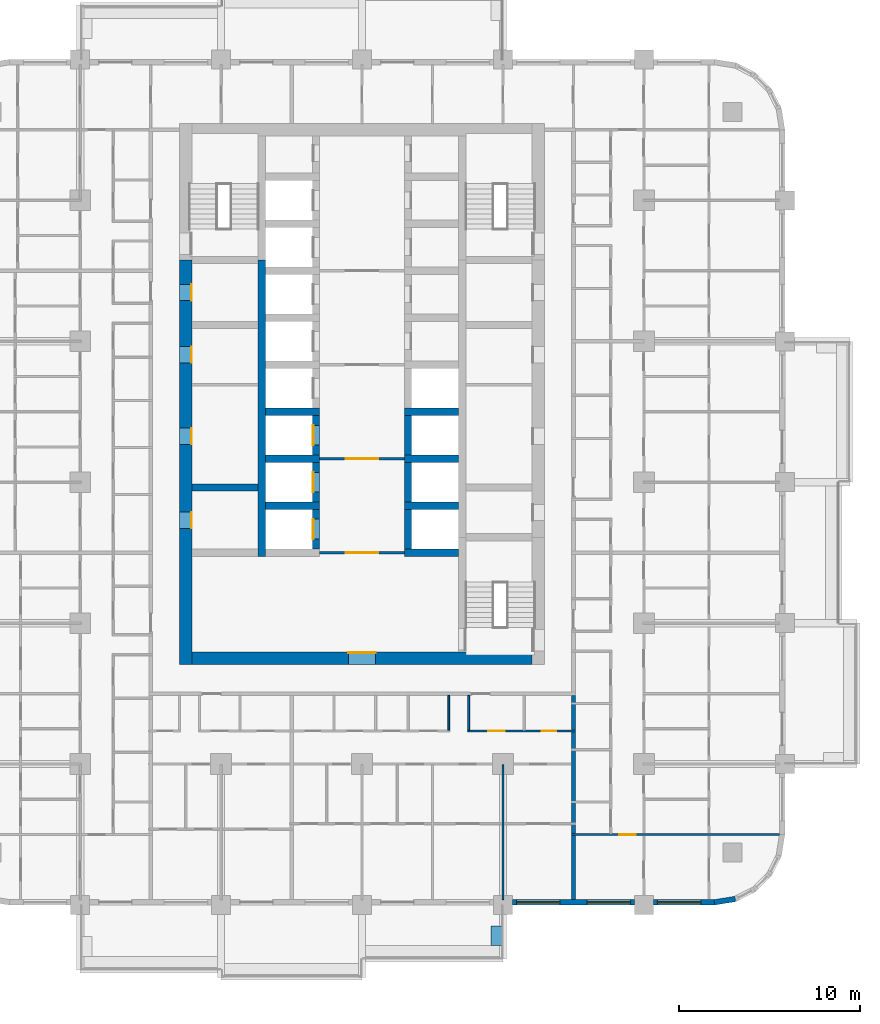
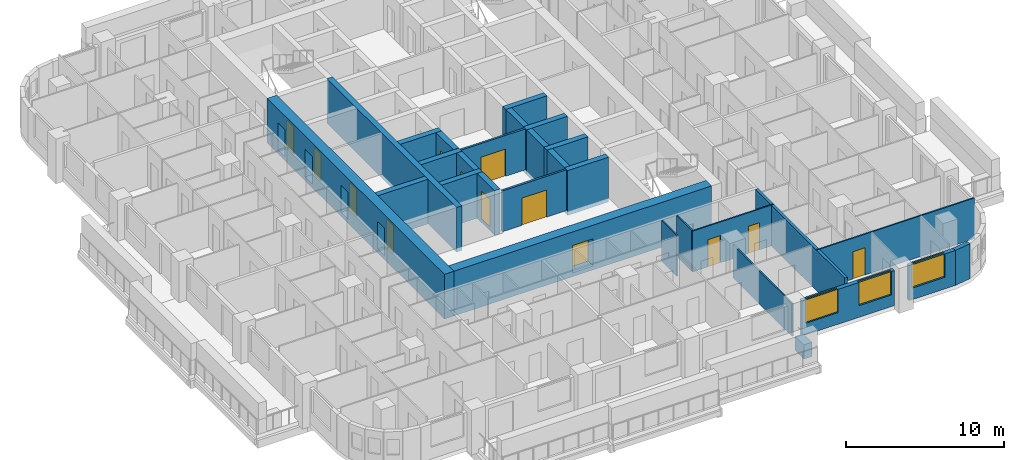
# One storey, part 6 of 17: 29 walls, 13 doors, 3 windows, 16 openings.
"""IFC4 building model written with IfcOpenShell, lengths in metres."""

from ifc_helpers import new_model, si_unit, direction, frame, frame_2d, origin, place, context, subcontext, project, spatial, rectangle, extrude, material, layer, layer_set, type_object, element, fill, save


model = new_model("IFC4")

# Units and contexts
model_context = context("Model", 3, precision=1e-05, world=origin(), true_north=direction((0.0, 1.0)))
body_context = subcontext(model_context, "Body", "Model", "MODEL_VIEW")
ifc_project = project(units=[si_unit("LENGTHUNIT", "METRE"), si_unit("AREAUNIT", "SQUARE_METRE"), si_unit("VOLUMEUNIT", "CUBIC_METRE"), si_unit("PLANEANGLEUNIT", "RADIAN"), si_unit("MASSUNIT", "GRAM", prefix="KILO")], contexts=[model_context])

# Site, building, storey
site_placement = place(None, origin())
site = spatial("IfcSite", under=ifc_project, at=site_placement, CompositionType="ELEMENT")
building_placement = place(site_placement, origin())
building = spatial("IfcBuilding", under=site, at=building_placement, Name="Ludao Terraces", CompositionType="ELEMENT")
storey_placement = place(building_placement, frame((0.0, 0.0, 51.199951171875)))
storey = spatial("IfcBuildingStorey", under=building, at=storey_placement, Name="L13", CompositionType="ELEMENT", Elevation=51.199951171875)

# Wall, openings, doors
ifc_material_1 = material(Name="Concrete C70", Category="concrete")
ifc_layer_1 = layer(ifc_material_1, 0.699951171875)
ifc_layer_set_1 = layer_set([ifc_layer_1], Name="Core wall 700 C70")
wall_type_1 = type_object("IfcWallType", Name="Core wall 700 C70", PredefinedType="SOLIDWALL", material=ifc_layer_set_1)
wall_1_placement = place(storey_placement, frame((75.25, 54.89990234375, -0.300048828125), z_axis=(0.0, 0.0, 1.0), x_axis=(0.0, 1.0, 0.0)))
wall_1 = element("IfcWall", 1, at=wall_1_placement, inside=storey, type_object=wall_type_1, Name="Core wall L13 outer-W", PredefinedType="SOLIDWALL", context=body_context, shape_type="SweptSolid", body=[
    extrude(rectangle(XDim=22.400146484375, YDim=0.699951171875, at=frame_2d((11.2001953125, 0.0))), origin(), (0.0, 0.0, 1.0), 3.4501953125),
])
opening_1_placement = place(wall_1_placement, frame((7.550048828125, 0.0, 0.300048828125)))
opening_1 = element("IfcOpeningElement", 2, at=opening_1_placement, cuts=wall_1, Name="Opening R04-076", PredefinedType="OPENING", context=body_context, shape_type="SweptSolid", body=[
    extrude(rectangle(XDim=0.89990234375, YDim=2.10009765625, at=frame_2d((0.449951171875, 1.050048828125))), frame((0.0, 0.35986328125, 0.0), z_axis=(0.0, -1.0, 0.0), x_axis=(1.0, 0.0, 0.0)), (0.0, 0.0, 1.0), 0.719970703125),
])
opening_2_placement = place(wall_1_placement, frame((12.199951171875, 0.0, 0.300048828125)))
opening_2 = element("IfcOpeningElement", 3, at=opening_2_placement, cuts=wall_1, Name="Opening R04-090", PredefinedType="OPENING", context=body_context, shape_type="SweptSolid", body=[
    extrude(rectangle(XDim=0.89990234375, YDim=2.10009765625, at=frame_2d((0.449951171875, 1.050048828125))), frame((0.0, 0.35986328125, 0.0), z_axis=(0.0, -1.0, 0.0), x_axis=(1.0, 0.0, 0.0)), (0.0, 0.0, 1.0), 0.719970703125),
])
opening_3_placement = place(wall_1_placement, frame((16.699951171875, 0.0, 0.300048828125)))
opening_3 = element("IfcOpeningElement", 4, at=opening_3_placement, cuts=wall_1, Name="Opening R04-107", PredefinedType="OPENING", context=body_context, shape_type="SweptSolid", body=[
    extrude(rectangle(XDim=0.89990234375, YDim=2.10009765625, at=frame_2d((0.449951171875, 1.050048828125))), frame((0.0, 0.35986328125, 0.0), z_axis=(0.0, -1.0, 0.0), x_axis=(1.0, 0.0, 0.0)), (0.0, 0.0, 1.0), 0.719970703125),
])
opening_4_placement = place(wall_1_placement, frame((20.14990234375, 0.0, 0.300048828125)))
opening_4 = element("IfcOpeningElement", 5, at=opening_4_placement, cuts=wall_1, Name="Opening R04-117", PredefinedType="OPENING", context=body_context, shape_type="SweptSolid", body=[
    extrude(rectangle(XDim=0.89990234375, YDim=2.10009765625, at=frame_2d((0.449951171875, 1.050048828125))), frame((0.0, 0.35986328125, 0.0), z_axis=(0.0, -1.0, 0.0), x_axis=(1.0, 0.0, 0.0)), (0.0, 0.0, 1.0), 0.719970703125),
])
ifc_material_2 = material(Name="Steel Q235", Category="steel")
door_type_1 = type_object("IfcDoorType", Name="INT Riser door 900", OperationType="SINGLE_SWING_LEFT", PredefinedType="DOOR", material=ifc_material_2)
door_1_placement = place(opening_1_placement, origin())
door_1 = element("IfcDoor", 6, at=door_1_placement, inside=storey, type_object=door_type_1, Name="DOOR 076", OperationType="SINGLE_SWING_LEFT", OverallHeight=2.10009765625, OverallWidth=0.89990234375, PredefinedType="DOOR", context=body_context, shape_type="SweptSolid", body=[
    extrude(rectangle(XDim=0.89990234375, YDim=2.10009765625, at=frame_2d((0.449951171875, 1.050048828125))), frame((0.0, -0.28515625, 0.0), z_axis=(0.0, -1.0, 0.0), x_axis=(1.0, 0.0, 0.0)), (0.0, 0.0, 1.0), 0.050048828125),
])
fill(opening_1, door_1)
door_2_placement = place(opening_4_placement, origin())
door_2 = element("IfcDoor", 7, at=door_2_placement, inside=storey, type_object=door_type_1, Name="DOOR 117", OperationType="SINGLE_SWING_RIGHT", OverallHeight=2.10009765625, OverallWidth=0.89990234375, PredefinedType="DOOR", context=body_context, shape_type="SweptSolid", body=[
    extrude(rectangle(XDim=0.89990234375, YDim=2.10009765625, at=frame_2d((0.449951171875, 1.050048828125))), frame((0.0, -0.28515625, 0.0), z_axis=(0.0, -1.0, 0.0), x_axis=(1.0, 0.0, 0.0)), (0.0, 0.0, 1.0), 0.050048828125),
])
fill(opening_4, door_2)
ifc_material_3 = material(Name="Timber door leaf", Category="wood")
door_type_2 = type_object("IfcDoorType", Name="INT Room door 900", OperationType="SINGLE_SWING_LEFT", PredefinedType="DOOR", material=ifc_material_3)
door_3_placement = place(opening_2_placement, origin())
door_3 = element("IfcDoor", 8, at=door_3_placement, inside=storey, type_object=door_type_2, Name="DOOR 090", OperationType="SINGLE_SWING_RIGHT", OverallHeight=2.10009765625, OverallWidth=0.89990234375, PredefinedType="DOOR", context=body_context, shape_type="SweptSolid", body=[
    extrude(rectangle(XDim=0.89990234375, YDim=2.10009765625, at=frame_2d((0.449951171875, 1.050048828125))), frame((0.0, -0.28515625, 0.0), z_axis=(0.0, -1.0, 0.0), x_axis=(1.0, 0.0, 0.0)), (0.0, 0.0, 1.0), 0.050048828125),
])
fill(opening_2, door_3)
door_4_placement = place(opening_3_placement, origin())
door_4 = element("IfcDoor", 9, at=door_4_placement, inside=storey, type_object=door_type_2, Name="DOOR 107", OperationType="SINGLE_SWING_LEFT", OverallHeight=2.10009765625, OverallWidth=0.89990234375, PredefinedType="DOOR", context=body_context, shape_type="SweptSolid", body=[
    extrude(rectangle(XDim=0.89990234375, YDim=2.10009765625, at=frame_2d((0.449951171875, 1.050048828125))), frame((0.0, -0.28515625, 0.0), z_axis=(0.0, -1.0, 0.0), x_axis=(1.0, 0.0, 0.0)), (0.0, 0.0, 1.0), 0.050048828125),
])
fill(opening_3, door_4)

# Wall, opening, door
wall_2_placement = place(storey_placement, frame((75.60009765625, 55.25, -0.300048828125), z_axis=(0.0, 0.0, 1.0), x_axis=(1.0, 0.0, 0.0)))
wall_2 = element("IfcWall", 10, at=wall_2_placement, inside=storey, type_object=wall_type_1, Name="Core wall L13 outer-S", PredefinedType="SOLIDWALL", context=body_context, shape_type="SweptSolid", body=[
    extrude(rectangle(XDim=18.7998046875, YDim=0.699951171875, at=frame_2d((9.39990234375, 0.0))), origin(), (0.0, 0.0, 1.0), 3.4501953125),
])
opening_5_placement = place(wall_2_placement, frame((8.64990234375, 0.0, 0.300048828125)))
opening_5 = element("IfcOpeningElement", 11, at=opening_5_placement, cuts=wall_2, Name="Opening R04-055", PredefinedType="OPENING", context=body_context, shape_type="SweptSolid", body=[
    extrude(rectangle(XDim=1.5, YDim=2.10009765625, at=frame_2d((0.75, 1.050048828125))), frame((0.0, 0.35986328125, 0.0), z_axis=(0.0, -1.0, 0.0), x_axis=(1.0, 0.0, 0.0)), (0.0, 0.0, 1.0), 0.719970703125),
])
door_type_3 = type_object("IfcDoorType", Name="INT Lobby door 1500", OperationType="DOUBLE_DOOR_SINGLE_SWING", PredefinedType="DOOR", material=ifc_material_2)
door_5_placement = place(opening_5_placement, origin())
door_5 = element("IfcDoor", 12, at=door_5_placement, inside=storey, type_object=door_type_3, Name="DOOR 055", OperationType="DOUBLE_DOOR_SINGLE_SWING", OverallHeight=2.10009765625, OverallWidth=1.5, PredefinedType="DOOR", context=body_context, shape_type="SweptSolid", body=[
    extrude(rectangle(XDim=1.5, YDim=2.10009765625, at=frame_2d((0.75, 1.050048828125))), frame((0.0, 0.3349609375, 0.0), z_axis=(0.0, -1.0, 0.0), x_axis=(1.0, 0.0, 0.0)), (0.0, 0.0, 1.0), 0.050048828125),
])
fill(opening_5, door_5)

# Wall
ifc_material_4 = material(Name="Concrete C40", Category="concrete")
ifc_layer_2 = layer(ifc_material_4, 0.60009765625)
ifc_layer_set_2 = layer_set([ifc_layer_2], Name="ENV Planter trough 600")
wall_type_2 = type_object("IfcWallType", Name="ENV Planter trough 600", PredefinedType="USERDEFINED", material=ifc_layer_set_2)
wall_3_placement = place(storey_placement, frame((92.449951171875, 39.35009765625, 0.0), z_axis=(0.0, 0.0, 1.0), x_axis=(0.0, 1.0, 0.0)))
element("IfcWall", 13, at=wall_3_placement, inside=storey, type_object=wall_type_2, Name="PL-L13-S3-SB", ObjectType="PLANTER", PredefinedType="USERDEFINED", context=body_context, shape_type="SweptSolid", body=[
    extrude(rectangle(XDim=1.099853515625, YDim=0.60009765625, at=frame_2d((0.5498046875, 0.0))), origin(), (0.0, 0.0, 1.0), 1.10009765625),
])

# Wall, openings, windows
ifc_material_5 = material(Name="Granite cladding", Category="masonry")
ifc_layer_3 = layer(ifc_material_5, 0.0400390625, Category="stone")
ifc_material_6 = material(Name="Mineral wool")
ifc_layer_4 = layer(ifc_material_6, 0.06005859375)
ifc_layer_5 = layer(ifc_material_4, 0.199951171875, Category="concrete")
ifc_layer_set_3 = layer_set([ifc_layer_3, ifc_layer_4, ifc_layer_5], Name="ENV Stone-clad wall 300")
wall_type_3 = type_object("IfcWallType", Name="ENV Stone-clad wall 300", PredefinedType="SOLIDWALL", material=ifc_layer_set_3)
wall_4_placement = place(storey_placement, frame((93.324951171875, 41.75, 0.0), z_axis=(0.0, 0.0, 1.0), x_axis=(1.0, 0.0, 0.0)))
wall_4 = element("IfcWall", 14, at=wall_4_placement, inside=storey, type_object=wall_type_3, Name="EW-L13-S5", PredefinedType="SOLIDWALL", context=body_context, shape_type="SweptSolid", body=[
    extrude(rectangle(XDim=6.75, YDim=0.300048828125, at=frame_2d((3.375, 0.0))), origin(), (0.0, 0.0, 1.0), 2.699951171875),
])
opening_6_placement = place(wall_4_placement, frame((0.22509765625, 0.0, 0.89990234375)))
opening_6 = element("IfcOpeningElement", 15, at=opening_6_placement, cuts=wall_4, Name="Opening W1", PredefinedType="OPENING", context=body_context, shape_type="SweptSolid", body=[
    extrude(rectangle(XDim=2.39990234375, YDim=1.800048828125, at=frame_2d((1.199951171875, 0.89990234375))), frame((0.0, 0.16015625, 0.0), z_axis=(0.0, -1.0, 0.0), x_axis=(1.0, 0.0, 0.0)), (0.0, 0.0, 1.0), 0.320068359375),
])
opening_7_placement = place(wall_4_placement, frame((4.125, 0.0, 0.89990234375)))
opening_7 = element("IfcOpeningElement", 16, at=opening_7_placement, cuts=wall_4, Name="Opening W1", PredefinedType="OPENING", context=body_context, shape_type="SweptSolid", body=[
    extrude(rectangle(XDim=2.39990234375, YDim=1.800048828125, at=frame_2d((1.199951171875, 0.89990234375))), frame((0.0, 0.16015625, 0.0), z_axis=(0.0, -1.0, 0.0), x_axis=(1.0, 0.0, 0.0)), (0.0, 0.0, 1.0), 0.320068359375),
])
ifc_material_7 = material(Name="Clear glass in aluminium frame", Category="aluminium")
ifc_layer_6 = layer(ifc_material_7, 0.06005859375)
ifc_layer_set_4 = layer_set([ifc_layer_6], Name="ENV Window W1 2400x1800")
window_type = type_object("IfcWindowType", Name="ENV Window W1 2400x1800", PartitioningType="DOUBLE_PANEL_VERTICAL", PredefinedType="WINDOW", material=ifc_layer_set_4)
window_1_placement = place(opening_6_placement, origin())
window_1 = element("IfcWindow", 17, at=window_1_placement, inside=storey, type_object=window_type, Name="W-L13-S5-1", OverallHeight=1.800048828125, OverallWidth=2.39990234375, PartitioningType="DOUBLE_PANEL_VERTICAL", PredefinedType="WINDOW", context=body_context, shape_type="SweptSolid", body=[
    extrude(rectangle(XDim=2.39990234375, YDim=1.800048828125, at=frame_2d((1.199951171875, 0.89990234375))), frame((0.0, 0.030029296875, 0.0), z_axis=(0.0, -1.0, 0.0), x_axis=(1.0, 0.0, 0.0)), (0.0, 0.0, 1.0), 0.06005859375),
])
fill(opening_6, window_1)
window_2_placement = place(opening_7_placement, origin())
window_2 = element("IfcWindow", 18, at=window_2_placement, inside=storey, type_object=window_type, Name="W-L13-S5-2", OverallHeight=1.800048828125, OverallWidth=2.39990234375, PartitioningType="DOUBLE_PANEL_VERTICAL", PredefinedType="WINDOW", context=body_context, shape_type="SweptSolid", body=[
    extrude(rectangle(XDim=2.39990234375, YDim=1.800048828125, at=frame_2d((1.199951171875, 0.89990234375))), frame((0.0, 0.030029296875, 0.0), z_axis=(0.0, -1.0, 0.0), x_axis=(1.0, 0.0, 0.0)), (0.0, 0.0, 1.0), 0.06005859375),
])
fill(opening_7, window_2)

# Wall, opening, window
wall_5_placement = place(storey_placement, frame((101.125, 41.75, 0.0), z_axis=(0.0, 0.0, 1.0), x_axis=(1.0, 0.0, 0.0)))
wall_5 = element("IfcWall", 19, at=wall_5_placement, inside=storey, type_object=wall_type_3, Name="EW-L13-S6", PredefinedType="SOLIDWALL", context=body_context, shape_type="SweptSolid", body=[
    extrude(rectangle(XDim=3.375, YDim=0.300048828125, at=frame_2d((1.6875, 0.0))), origin(), (0.0, 0.0, 1.0), 2.699951171875),
])
opening_8_placement = place(wall_5_placement, frame((0.22509765625, 0.0, 0.89990234375)))
opening_8 = element("IfcOpeningElement", 20, at=opening_8_placement, cuts=wall_5, Name="Opening W1", PredefinedType="OPENING", context=body_context, shape_type="SweptSolid", body=[
    extrude(rectangle(XDim=2.39990234375, YDim=1.800048828125, at=frame_2d((1.199951171875, 0.89990234375))), frame((0.0, 0.16015625, 0.0), z_axis=(0.0, -1.0, 0.0), x_axis=(1.0, 0.0, 0.0)), (0.0, 0.0, 1.0), 0.320068359375),
])
window_3_placement = place(opening_8_placement, origin())
window_3 = element("IfcWindow", 21, at=window_3_placement, inside=storey, type_object=window_type, Name="W-L13-S6-1", OverallHeight=1.800048828125, OverallWidth=2.39990234375, PartitioningType="DOUBLE_PANEL_VERTICAL", PredefinedType="WINDOW", context=body_context, shape_type="SweptSolid", body=[
    extrude(rectangle(XDim=2.39990234375, YDim=1.800048828125, at=frame_2d((1.199951171875, 0.89990234375))), frame((0.0, 0.030029296875, 0.0), z_axis=(0.0, -1.0, 0.0), x_axis=(1.0, 0.0, 0.0)), (0.0, 0.0, 1.0), 0.06005859375),
])
fill(opening_8, window_3)

# Wall
wall_6_placement = place(storey_placement, frame((104.5, 41.75, 0.0), z_axis=(0.0, 0.0, 1.0), x_axis=(0.987678452879, 0.156496880861, 0.0)))
element("IfcWall", 22, at=wall_6_placement, inside=storey, type_object=wall_type_3, Name="EW-L13-SE1", PredefinedType="SOLIDWALL", context=body_context, shape_type="SweptSolid", body=[
    extrude(rectangle(XDim=1.173095703125, YDim=0.300048828125, at=frame_2d((0.58642578125, 0.0))), origin(), (0.0, 0.0, 1.0), 2.699951171875),
])

# Wall, opening, door
ifc_material_8 = material(Name="Fire-rated gypsum plasterboard", Category="gypsum")
ifc_layer_7 = layer(ifc_material_8, 0.012451171875, Category="gypsum")
ifc_layer_8 = layer(ifc_material_6, 0.10009765625, Name="insulation")
ifc_layer_9 = layer(ifc_material_2, 0.02490234375, Name="stud")
ifc_layer_10 = layer(ifc_material_8, 0.012451171875, Category="gypsum")
ifc_layer_set_5 = layer_set([ifc_layer_7, ifc_layer_8, ifc_layer_9, ifc_layer_10], Name="INT Core partition 150")
wall_type_4 = type_object("IfcWallType", Name="INT Core partition 150", PredefinedType="PARTITIONING", material=ifc_layer_set_5)
wall_7_placement = place(storey_placement, frame((82.650146484375, 61.10009765625, 0.0), z_axis=(0.0, 0.0, 1.0), x_axis=(1.0, 0.0, 0.0)))
wall_7 = element("IfcWall", 23, at=wall_7_placement, inside=storey, type_object=wall_type_4, Name="PW-L13-PW034", PredefinedType="PARTITIONING", context=body_context, shape_type="SweptSolid", body=[
    extrude(rectangle(XDim=4.699951171875, YDim=0.14990234375, at=frame_2d((2.35009765625, 0.0))), origin(), (0.0, 0.0, 1.0), 3.150146484375),
])
opening_9_placement = place(wall_7_placement, frame((1.449951171875, 0.0, 0.0)))
opening_9 = element("IfcOpeningElement", 24, at=opening_9_placement, cuts=wall_7, Name="Opening R04-072", PredefinedType="OPENING", context=body_context, shape_type="SweptSolid", body=[
    extrude(rectangle(XDim=1.800048828125, YDim=2.10009765625, at=frame_2d((0.89990234375, 1.050048828125))), frame((0.0, 0.0849609375, 0.0), z_axis=(0.0, -1.0, 0.0), x_axis=(1.0, 0.0, 0.0)), (0.0, 0.0, 1.0), 0.169921875),
])
door_type_4 = type_object("IfcDoorType", Name="INT Fire lobby door 1800", OperationType="DOUBLE_DOOR_SINGLE_SWING", PredefinedType="DOOR", material=ifc_material_2)
door_6_placement = place(opening_9_placement, origin())
door_6 = element("IfcDoor", 25, at=door_6_placement, inside=storey, type_object=door_type_4, Name="DOOR 072", OperationType="DOUBLE_DOOR_SINGLE_SWING", OverallHeight=2.10009765625, OverallWidth=1.800048828125, PredefinedType="DOOR", context=body_context, shape_type="SweptSolid", body=[
    extrude(rectangle(XDim=1.800048828125, YDim=2.10009765625, at=frame_2d((0.89990234375, 1.050048828125))), frame((0.0, 0.02490234375, 0.0), z_axis=(0.0, -1.0, 0.0), x_axis=(1.0, 0.0, 0.0)), (0.0, 0.0, 1.0), 0.050048828125),
])
fill(opening_9, door_6)

wall_8_placement = place(storey_placement, frame((82.650146484375, 66.300048828125, 0.0), z_axis=(0.0, 0.0, 1.0), x_axis=(1.0, 0.0, 0.0)))
wall_8 = element("IfcWall", 26, at=wall_8_placement, inside=storey, type_object=wall_type_4, Name="PW-L13-PW041", PredefinedType="PARTITIONING", context=body_context, shape_type="SweptSolid", body=[
    extrude(rectangle(XDim=4.699951171875, YDim=0.14990234375, at=frame_2d((2.35009765625, 0.0))), origin(), (0.0, 0.0, 1.0), 3.150146484375),
])
opening_10_placement = place(wall_8_placement, frame((1.449951171875, 0.0, 0.0)))
opening_10 = element("IfcOpeningElement", 27, at=opening_10_placement, cuts=wall_8, Name="Opening R04-087", PredefinedType="OPENING", context=body_context, shape_type="SweptSolid", body=[
    extrude(rectangle(XDim=1.800048828125, YDim=2.10009765625, at=frame_2d((0.89990234375, 1.050048828125))), frame((0.0, 0.0849609375, 0.0), z_axis=(0.0, -1.0, 0.0), x_axis=(1.0, 0.0, 0.0)), (0.0, 0.0, 1.0), 0.169921875),
])
door_7_placement = place(opening_10_placement, origin())
door_7 = element("IfcDoor", 28, at=door_7_placement, inside=storey, type_object=door_type_4, Name="DOOR 087", OperationType="DOUBLE_DOOR_SINGLE_SWING", OverallHeight=2.10009765625, OverallWidth=1.800048828125, PredefinedType="DOOR", context=body_context, shape_type="SweptSolid", body=[
    extrude(rectangle(XDim=1.800048828125, YDim=2.10009765625, at=frame_2d((0.89990234375, 1.050048828125))), frame((0.0, 0.02490234375, 0.0), z_axis=(0.0, -1.0, 0.0), x_axis=(1.0, 0.0, 0.0)), (0.0, 0.0, 1.0), 0.050048828125),
])
fill(opening_10, door_7)

ifc_material_9 = material(Name="Gypsum plasterboard", Category="gypsum")
ifc_layer_11 = layer(ifc_material_9, 0.012451171875, Category="gypsum")
ifc_layer_12 = layer(ifc_material_6, 0.06005859375, Name="insulation")
ifc_layer_13 = layer(ifc_material_2, 0.014892578125, Name="stud")
ifc_layer_14 = layer(ifc_material_9, 0.012451171875, Category="gypsum")
ifc_layer_set_6 = layer_set([ifc_layer_11, ifc_layer_12, ifc_layer_13, ifc_layer_14], Name="INT Partition 100")
wall_type_5 = type_object("IfcWallType", Name="INT Partition 100", PredefinedType="PARTITIONING", material=ifc_layer_set_6)
wall_9_placement = place(storey_placement, frame((96.60009765625, 45.5, 0.0), z_axis=(0.0, 0.0, 1.0), x_axis=(1.0, 0.0, 0.0)))
wall_9 = element("IfcWall", 29, at=wall_9_placement, inside=storey, type_object=wall_type_5, Name="PW-L13-PW001", PredefinedType="PARTITIONING", context=body_context, shape_type="SweptSolid", body=[
    extrude(rectangle(XDim=11.5, YDim=0.10009765625, at=frame_2d((5.75, 0.0))), origin(), (0.0, 0.0, 1.0), 3.150146484375),
])
opening_11_placement = place(wall_9_placement, frame((2.635009765625, 0.0, 0.0)))
opening_11 = element("IfcOpeningElement", 30, at=opening_11_placement, cuts=wall_9, Name="Opening R04-006", PredefinedType="OPENING", context=body_context, shape_type="SweptSolid", body=[
    extrude(rectangle(XDim=0.89990234375, YDim=2.10009765625, at=frame_2d((0.449951171875, 1.050048828125))), frame((0.0, 0.06005859375, 0.0), z_axis=(0.0, -1.0, 0.0), x_axis=(1.0, 0.0, 0.0)), (0.0, 0.0, 1.0), 0.1201171875),
])
door_8_placement = place(opening_11_placement, origin())
door_8 = element("IfcDoor", 31, at=door_8_placement, inside=storey, type_object=door_type_2, Name="DOOR 006", OperationType="SINGLE_SWING_LEFT", OverallHeight=2.10009765625, OverallWidth=0.89990234375, PredefinedType="DOOR", context=body_context, shape_type="SweptSolid", body=[
    extrude(rectangle(XDim=0.89990234375, YDim=2.10009765625, at=frame_2d((0.449951171875, 1.050048828125))), frame((0.0, 0.02490234375, 0.0), z_axis=(0.0, -1.0, 0.0), x_axis=(1.0, 0.0, 0.0)), (0.0, 0.0, 1.0), 0.050048828125),
])
fill(opening_11, door_8)

# Wall, openings, doors
wall_10_placement = place(storey_placement, frame((90.85009765625, 51.22998046875, 0.0), z_axis=(0.0, 0.0, 1.0), x_axis=(1.0, 0.0, 0.0)))
wall_10 = element("IfcWall", 32, at=wall_10_placement, inside=storey, type_object=wall_type_5, Name="PW-L13-PW015", PredefinedType="PARTITIONING", context=body_context, shape_type="SweptSolid", body=[
    extrude(rectangle(XDim=5.949951171875, YDim=0.10009765625, at=frame_2d((2.97509765625, 0.0))), origin(), (0.0, 0.0, 1.0), 3.150146484375),
])
opening_12_placement = place(wall_10_placement, frame((1.135009765625, 0.0, 0.0)))
opening_12 = element("IfcOpeningElement", 33, at=opening_12_placement, cuts=wall_10, Name="Opening R04-041", PredefinedType="OPENING", context=body_context, shape_type="SweptSolid", body=[
    extrude(rectangle(XDim=0.89990234375, YDim=2.10009765625, at=frame_2d((0.449951171875, 1.050048828125))), frame((0.0, 0.06005859375, 0.0), z_axis=(0.0, -1.0, 0.0), x_axis=(1.0, 0.0, 0.0)), (0.0, 0.0, 1.0), 0.1201171875),
])
opening_13_placement = place(wall_10_placement, frame((4.0849609375, 0.0, 0.0)))
opening_13 = element("IfcOpeningElement", 34, at=opening_13_placement, cuts=wall_10, Name="Opening R04-042", PredefinedType="OPENING", context=body_context, shape_type="SweptSolid", body=[
    extrude(rectangle(XDim=0.800048828125, YDim=2.10009765625, at=frame_2d((0.39990234375, 1.050048828125))), frame((0.0, 0.06005859375, 0.0), z_axis=(0.0, -1.0, 0.0), x_axis=(1.0, 0.0, 0.0)), (0.0, 0.0, 1.0), 0.1201171875),
])
door_9_placement = place(opening_12_placement, origin())
door_9 = element("IfcDoor", 35, at=door_9_placement, inside=storey, type_object=door_type_2, Name="DOOR 041", OperationType="SINGLE_SWING_LEFT", OverallHeight=2.10009765625, OverallWidth=0.89990234375, PredefinedType="DOOR", context=body_context, shape_type="SweptSolid", body=[
    extrude(rectangle(XDim=0.89990234375, YDim=2.10009765625, at=frame_2d((0.449951171875, 1.050048828125))), frame((0.0, 0.02490234375, 0.0), z_axis=(0.0, -1.0, 0.0), x_axis=(1.0, 0.0, 0.0)), (0.0, 0.0, 1.0), 0.050048828125),
])
fill(opening_12, door_9)
door_type_5 = type_object("IfcDoorType", Name="INT Store door 800", OperationType="SINGLE_SWING_LEFT", PredefinedType="DOOR", material=ifc_material_3)
door_10_placement = place(opening_13_placement, origin())
door_10 = element("IfcDoor", 36, at=door_10_placement, inside=storey, type_object=door_type_5, Name="DOOR 042", OperationType="SINGLE_SWING_RIGHT", OverallHeight=2.10009765625, OverallWidth=0.800048828125, PredefinedType="DOOR", context=body_context, shape_type="SweptSolid", body=[
    extrude(rectangle(XDim=0.800048828125, YDim=2.10009765625, at=frame_2d((0.39990234375, 1.050048828125))), frame((0.0, 0.02490234375, 0.0), z_axis=(0.0, -1.0, 0.0), x_axis=(1.0, 0.0, 0.0)), (0.0, 0.0, 1.0), 0.050048828125),
])
fill(opening_13, door_10)

# Walls
for number, where, z_axis, x_axis, name in (
    (37, (89.800048828125, 51.280029296875, 0.0), (0.0, 0.0, 1.0), (0.0, 1.0, 0.0), "PW-L13-PW108"),
    (38, (90.89990234375, 51.280029296875, 0.0), (0.0, 0.0, 1.0), (0.0, 1.0, 0.0), "PW-L13-PW109"),
):
    element("IfcWall", number, at=place(storey_placement, frame(where, z_axis=z_axis, x_axis=x_axis)), inside=storey, type_object=wall_type_5, Name=name, PredefinedType="PARTITIONING", context=body_context, shape_type="SweptSolid", body=[
        extrude(rectangle(XDim=1.920166015625, YDim=0.10009765625, at=frame_2d((0.9599609375, 0.0))), origin(), (0.0, 0.0, 1.0), 3.150146484375),
    ])
wall_11_placement = place(storey_placement, frame((92.800048828125, 41.900146484375, 0.0), z_axis=(0.0, 0.0, 1.0), x_axis=(0.0, 1.0, 0.0)))
element("IfcWall", 39, at=wall_11_placement, inside=storey, type_object=wall_type_5, Name="PW-L13-PW110", PredefinedType="PARTITIONING", context=body_context, shape_type="SweptSolid", body=[
    extrude(rectangle(XDim=7.449951171875, YDim=0.10009765625, at=frame_2d((3.72509765625, 0.0))), origin(), (0.0, 0.0, 1.0), 2.550048828125),
])
ifc_material_10 = material(Name="Autoclaved aerated concrete block B06 A3.5", Category="concrete")
ifc_layer_15 = layer(ifc_material_10, 0.199951171875)
ifc_layer_set_7 = layer_set([ifc_layer_15], Name="INT Party wall 200")
wall_type_6 = type_object("IfcWallType", Name="INT Party wall 200", PredefinedType="PARTITIONING", material=ifc_layer_set_7)
wall_12_placement = place(storey_placement, frame((96.699951171875, 41.900146484375, 0.0), z_axis=(0.0, 0.0, 1.0), x_axis=(0.0, 1.0, 0.0)))
element("IfcWall", 40, at=wall_12_placement, inside=storey, type_object=wall_type_6, Name="PW-L13-PW113", PredefinedType="PARTITIONING", context=body_context, shape_type="SweptSolid", body=[
    extrude(rectangle(XDim=11.300048828125, YDim=0.199951171875, at=frame_2d((5.64990234375, 0.0))), origin(), (0.0, 0.0, 1.0), 3.150146484375),
])
ifc_material_11 = material(Name="Concrete C60", Category="concrete")
ifc_layer_16 = layer(ifc_material_11, 0.39990234375)
ifc_layer_set_8 = layer_set([ifc_layer_16], Name="Shaft wall 400 C60")
wall_type_7 = type_object("IfcWallType", Name="Shaft wall 400 C60", PredefinedType="SOLIDWALL", material=ifc_layer_set_8)
wall_13_placement = place(storey_placement, frame((79.449951171875, 60.89990234375, -0.300048828125), z_axis=(0.0, 0.0, 1.0), x_axis=(0.0, 1.0, 0.0)))
element("IfcWall", 41, at=wall_13_placement, inside=storey, type_object=wall_type_7, Name="Core wall L13 back-W", PredefinedType="SOLIDWALL", context=body_context, shape_type="SweptSolid", body=[
    extrude(rectangle(XDim=16.400146484375, YDim=0.39990234375, at=frame_2d((8.2001953125, 0.0))), origin(), (0.0, 0.0, 1.0), 3.4501953125),
])

# Wall, opening, door
wall_14_placement = place(storey_placement, frame((82.449951171875, 61.300048828125, -0.300048828125), z_axis=(0.0, 0.0, 1.0), x_axis=(0.0, 1.0, 0.0)))
wall_14 = element("IfcWall", 42, at=wall_14_placement, inside=storey, type_object=wall_type_7, Name="Core wall L13 front-W1", PredefinedType="SOLIDWALL", context=body_context, shape_type="SweptSolid", body=[
    extrude(rectangle(XDim=2.199951171875, YDim=0.39990234375, at=frame_2d((1.10009765625, 0.0))), origin(), (0.0, 0.0, 1.0), 3.4501953125),
])
opening_14_placement = place(wall_14_placement, frame((0.550048828125, 0.0, 0.300048828125)))
opening_14 = element("IfcOpeningElement", 43, at=opening_14_placement, cuts=wall_14, Name="Opening LD-LA1", PredefinedType="OPENING", context=body_context, shape_type="SweptSolid", body=[
    extrude(rectangle(XDim=1.10009765625, YDim=2.10009765625, at=frame_2d((0.550048828125, 1.050048828125))), frame((0.0, 0.2099609375, 0.0), z_axis=(0.0, -1.0, 0.0), x_axis=(1.0, 0.0, 0.0)), (0.0, 0.0, 1.0), 0.419921875),
])
ifc_material_12 = material(Name="Stainless steel 304", Category="steel")
door_type_6 = type_object("IfcDoorType", Name="INT Lift landing door 1100", OperationType="SLIDING_TO_LEFT", PredefinedType="DOOR", material=ifc_material_12)
door_11_placement = place(opening_14_placement, origin())
door_11 = element("IfcDoor", 44, at=door_11_placement, inside=storey, type_object=door_type_6, Name="LANDING DOOR LA1 L13", OperationType="SLIDING_TO_RIGHT", OverallHeight=2.10009765625, OverallWidth=1.10009765625, PredefinedType="DOOR", context=body_context, shape_type="SweptSolid", body=[
    extrude(rectangle(XDim=1.10009765625, YDim=2.10009765625, at=frame_2d((0.550048828125, 1.050048828125))), frame((0.0, 0.18505859375, 0.0), z_axis=(0.0, -1.0, 0.0), x_axis=(1.0, 0.0, 0.0)), (0.0, 0.0, 1.0), 0.050048828125),
])
fill(opening_14, door_11)

# Wall
wall_15_placement = place(storey_placement, frame((79.64990234375, 63.699951171875, -0.300048828125), z_axis=(0.0, 0.0, 1.0), x_axis=(1.0, 0.0, 0.0)))
element("IfcWall", 45, at=wall_15_placement, inside=storey, type_object=wall_type_7, Name="Core wall L13 div-W2", PredefinedType="SOLIDWALL", context=body_context, shape_type="SweptSolid", body=[
    extrude(rectangle(XDim=3.0, YDim=0.39990234375, at=frame_2d((1.5, 0.0))), origin(), (0.0, 0.0, 1.0), 3.4501953125),
])

# Wall, opening, door
wall_16_placement = place(storey_placement, frame((82.449951171875, 63.89990234375, -0.300048828125), z_axis=(0.0, 0.0, 1.0), x_axis=(0.0, 1.0, 0.0)))
wall_16 = element("IfcWall", 46, at=wall_16_placement, inside=storey, type_object=wall_type_7, Name="Core wall L13 front-W2", PredefinedType="SOLIDWALL", context=body_context, shape_type="SweptSolid", body=[
    extrude(rectangle(XDim=2.2001953125, YDim=0.39990234375, at=frame_2d((1.10009765625, 0.0))), origin(), (0.0, 0.0, 1.0), 3.4501953125),
])
opening_15_placement = place(wall_16_placement, frame((0.550048828125, 0.0, 0.300048828125)))
opening_15 = element("IfcOpeningElement", 47, at=opening_15_placement, cuts=wall_16, Name="Opening LD-LA2", PredefinedType="OPENING", context=body_context, shape_type="SweptSolid", body=[
    extrude(rectangle(XDim=1.10009765625, YDim=2.10009765625, at=frame_2d((0.550048828125, 1.050048828125))), frame((0.0, 0.2099609375, 0.0), z_axis=(0.0, -1.0, 0.0), x_axis=(1.0, 0.0, 0.0)), (0.0, 0.0, 1.0), 0.419921875),
])
door_12_placement = place(opening_15_placement, origin())
door_12 = element("IfcDoor", 48, at=door_12_placement, inside=storey, type_object=door_type_6, Name="LANDING DOOR LA2 L13", OperationType="SLIDING_TO_RIGHT", OverallHeight=2.10009765625, OverallWidth=1.10009765625, PredefinedType="DOOR", context=body_context, shape_type="SweptSolid", body=[
    extrude(rectangle(XDim=1.10009765625, YDim=2.10009765625, at=frame_2d((0.550048828125, 1.050048828125))), frame((0.0, 0.18505859375, 0.0), z_axis=(0.0, -1.0, 0.0), x_axis=(1.0, 0.0, 0.0)), (0.0, 0.0, 1.0), 0.050048828125),
])
fill(opening_15, door_12)

# Wall
wall_17_placement = place(storey_placement, frame((79.64990234375, 66.300048828125, -0.300048828125), z_axis=(0.0, 0.0, 1.0), x_axis=(1.0, 0.0, 0.0)))
element("IfcWall", 49, at=wall_17_placement, inside=storey, type_object=wall_type_7, Name="Core wall L13 div-W3", PredefinedType="SOLIDWALL", context=body_context, shape_type="SweptSolid", body=[
    extrude(rectangle(XDim=3.0, YDim=0.39990234375, at=frame_2d((1.5, 0.0))), origin(), (0.0, 0.0, 1.0), 3.4501953125),
])

# Wall, opening, door
wall_18_placement = place(storey_placement, frame((82.449951171875, 66.5, -0.300048828125), z_axis=(0.0, 0.0, 1.0), x_axis=(0.0, 1.0, 0.0)))
wall_18 = element("IfcWall", 50, at=wall_18_placement, inside=storey, type_object=wall_type_7, Name="Core wall L13 front-W3", PredefinedType="SOLIDWALL", context=body_context, shape_type="SweptSolid", body=[
    extrude(rectangle(XDim=2.199951171875, YDim=0.39990234375, at=frame_2d((1.10009765625, 0.0))), origin(), (0.0, 0.0, 1.0), 3.4501953125),
])
opening_16_placement = place(wall_18_placement, frame((0.550048828125, 0.0, 0.300048828125)))
opening_16 = element("IfcOpeningElement", 51, at=opening_16_placement, cuts=wall_18, Name="Opening LD-LA3", PredefinedType="OPENING", context=body_context, shape_type="SweptSolid", body=[
    extrude(rectangle(XDim=1.10009765625, YDim=2.10009765625, at=frame_2d((0.550048828125, 1.050048828125))), frame((0.0, 0.2099609375, 0.0), z_axis=(0.0, -1.0, 0.0), x_axis=(1.0, 0.0, 0.0)), (0.0, 0.0, 1.0), 0.419921875),
])
door_13_placement = place(opening_16_placement, origin())
door_13 = element("IfcDoor", 52, at=door_13_placement, inside=storey, type_object=door_type_6, Name="LANDING DOOR LA3 L13", OperationType="SLIDING_TO_RIGHT", OverallHeight=2.10009765625, OverallWidth=1.10009765625, PredefinedType="DOOR", context=body_context, shape_type="SweptSolid", body=[
    extrude(rectangle(XDim=1.10009765625, YDim=2.10009765625, at=frame_2d((0.550048828125, 1.050048828125))), frame((0.0, 0.18505859375, 0.0), z_axis=(0.0, -1.0, 0.0), x_axis=(1.0, 0.0, 0.0)), (0.0, 0.0, 1.0), 0.050048828125),
])
fill(opening_16, door_13)

# Walls
for number, where, z_axis, x_axis, name in (
    (53, (79.64990234375, 68.89990234375, -0.300048828125), (0.0, 0.0, 1.0), (1.0, 0.0, 0.0), "Core wall L13 div-W4"),
    (54, (87.35009765625, 61.10009765625, -0.300048828125), (0.0, 0.0, 1.0), (1.0, 0.0, 0.0), "Core wall L13 div-E1"),
):
    element("IfcWall", number, at=place(storey_placement, frame(where, z_axis=z_axis, x_axis=x_axis)), inside=storey, type_object=wall_type_7, Name=name, PredefinedType="SOLIDWALL", context=body_context, shape_type="SweptSolid", body=[
        extrude(rectangle(XDim=3.0, YDim=0.39990234375, at=frame_2d((1.5, 0.0))), origin(), (0.0, 0.0, 1.0), 3.4501953125),
    ])
wall_19_placement = place(storey_placement, frame((87.550048828125, 61.300048828125, -0.300048828125), z_axis=(0.0, 0.0, 1.0), x_axis=(0.0, 1.0, 0.0)))
element("IfcWall", 55, at=wall_19_placement, inside=storey, type_object=wall_type_7, Name="Core wall L13 front-E1", PredefinedType="SOLIDWALL", context=body_context, shape_type="SweptSolid", body=[
    extrude(rectangle(XDim=2.199951171875, YDim=0.39990234375, at=frame_2d((1.10009765625, 0.0))), origin(), (0.0, 0.0, 1.0), 3.4501953125),
])
wall_20_placement = place(storey_placement, frame((87.35009765625, 63.699951171875, -0.300048828125), z_axis=(0.0, 0.0, 1.0), x_axis=(1.0, 0.0, 0.0)))
element("IfcWall", 56, at=wall_20_placement, inside=storey, type_object=wall_type_7, Name="Core wall L13 div-E2", PredefinedType="SOLIDWALL", context=body_context, shape_type="SweptSolid", body=[
    extrude(rectangle(XDim=3.0, YDim=0.39990234375, at=frame_2d((1.5, 0.0))), origin(), (0.0, 0.0, 1.0), 3.4501953125),
])
wall_21_placement = place(storey_placement, frame((87.550048828125, 63.89990234375, -0.300048828125), z_axis=(0.0, 0.0, 1.0), x_axis=(0.0, 1.0, 0.0)))
element("IfcWall", 57, at=wall_21_placement, inside=storey, type_object=wall_type_7, Name="Core wall L13 front-E2", PredefinedType="SOLIDWALL", context=body_context, shape_type="SweptSolid", body=[
    extrude(rectangle(XDim=2.2001953125, YDim=0.39990234375, at=frame_2d((1.10009765625, 0.0))), origin(), (0.0, 0.0, 1.0), 3.4501953125),
])
wall_22_placement = place(storey_placement, frame((87.35009765625, 66.300048828125, -0.300048828125), z_axis=(0.0, 0.0, 1.0), x_axis=(1.0, 0.0, 0.0)))
element("IfcWall", 58, at=wall_22_placement, inside=storey, type_object=wall_type_7, Name="Core wall L13 div-E3", PredefinedType="SOLIDWALL", context=body_context, shape_type="SweptSolid", body=[
    extrude(rectangle(XDim=3.0, YDim=0.39990234375, at=frame_2d((1.5, 0.0))), origin(), (0.0, 0.0, 1.0), 3.4501953125),
])
wall_23_placement = place(storey_placement, frame((87.550048828125, 66.5, -0.300048828125), z_axis=(0.0, 0.0, 1.0), x_axis=(0.0, 1.0, 0.0)))
element("IfcWall", 59, at=wall_23_placement, inside=storey, type_object=wall_type_7, Name="Core wall L13 front-E3", PredefinedType="SOLIDWALL", context=body_context, shape_type="SweptSolid", body=[
    extrude(rectangle(XDim=2.199951171875, YDim=0.39990234375, at=frame_2d((1.10009765625, 0.0))), origin(), (0.0, 0.0, 1.0), 3.4501953125),
])
wall_24_placement = place(storey_placement, frame((87.35009765625, 68.89990234375, -0.300048828125), z_axis=(0.0, 0.0, 1.0), x_axis=(1.0, 0.0, 0.0)))
element("IfcWall", 60, at=wall_24_placement, inside=storey, type_object=wall_type_7, Name="Core wall L13 div-E4", PredefinedType="SOLIDWALL", context=body_context, shape_type="SweptSolid", body=[
    extrude(rectangle(XDim=3.0, YDim=0.39990234375, at=frame_2d((1.5, 0.0))), origin(), (0.0, 0.0, 1.0), 3.4501953125),
])
wall_25_placement = place(storey_placement, frame((75.60009765625, 64.699951171875, -0.300048828125), z_axis=(0.0, 0.0, 1.0), x_axis=(1.0, 0.0, 0.0)))
element("IfcWall", 61, at=wall_25_placement, inside=storey, type_object=wall_type_7, Name="Core wall L13 riser-a-W", PredefinedType="SOLIDWALL", context=body_context, shape_type="SweptSolid", body=[
    extrude(rectangle(XDim=3.64990234375, YDim=0.39990234375, at=frame_2d((1.824951171875, 0.0))), origin(), (0.0, 0.0, 1.0), 3.4501953125),
])

save(model, "model.ifc")
